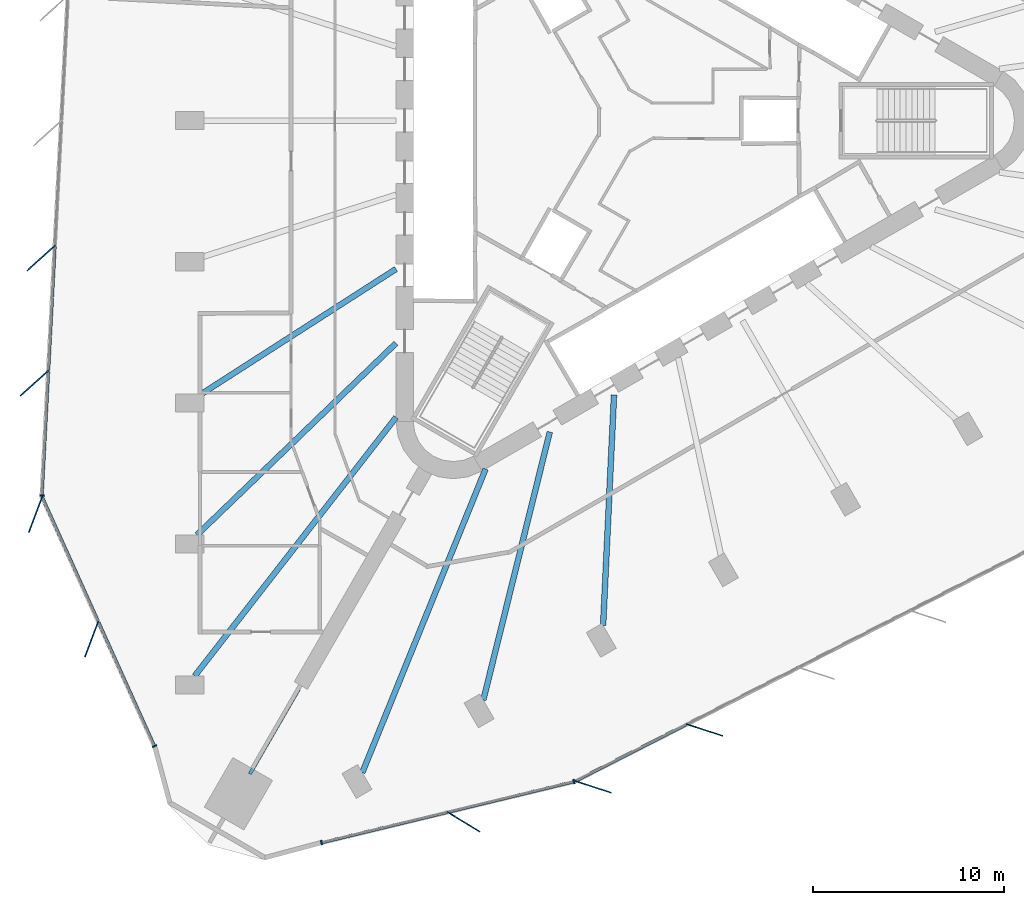
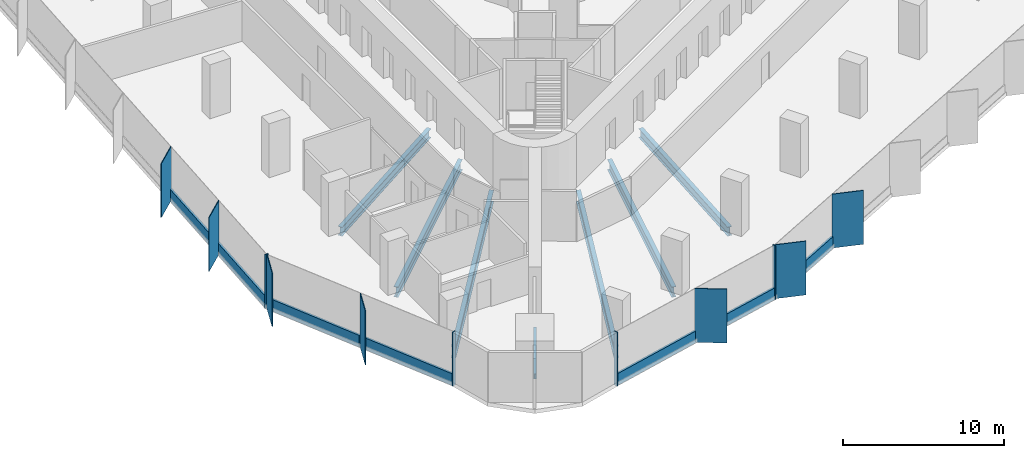
# One storey, part 2 of 14: 18 members, 7 beams, 4 elements without a shape of their own.
"""IFC4 building model written with IfcOpenShell, lengths in metres."""

from ifc_helpers import new_model, si_unit, direction, frame, origin, origin_2d, place, context, subcontext, project, spatial, rectangle, i_section, extrude, material, material_profile, profile_set, type_object, element, aggregate, save


model = new_model("IFC4")

# Units and contexts
model_context = context("Model", 3, precision=1e-05, world=origin(), true_north=direction((0.0, 1.0)))
body_context = subcontext(model_context, "Body", "Model", "MODEL_VIEW")
ifc_project = project(units=[si_unit("LENGTHUNIT", "METRE"), si_unit("AREAUNIT", "SQUARE_METRE"), si_unit("VOLUMEUNIT", "CUBIC_METRE"), si_unit("PLANEANGLEUNIT", "RADIAN"), si_unit("MASSUNIT", "GRAM", prefix="KILO")], contexts=[model_context])

# Site, building, storey
site_placement = place(None, origin())
site = spatial("IfcSite", under=ifc_project, at=site_placement, CompositionType="ELEMENT")
building_placement = place(site_placement, origin())
building = spatial("IfcBuilding", under=site, at=building_placement, Name="Tanit Gate Tower", CompositionType="ELEMENT")
storey_placement = place(building_placement, frame((0.0, 0.0, 107.0)))
storey = spatial("IfcBuildingStorey", under=building, at=storey_placement, Name="L22", CompositionType="ELEMENT", Elevation=107.0)

# Curtain wall, members
ifc_material_1 = material(Name="Aluminium bronze anodised and glass", Category="aluminium")
curtain_wall_type = type_object("IfcCurtainWallType", Name="Curtain wall typical low", PredefinedType="NOTDEFINED", material=ifc_material_1)
curtain_wall_1_placement = place(storey_placement, origin())
curtain_wall_1 = element("IfcCurtainWall", 1, at=curtain_wall_1_placement, inside=storey, type_object=curtain_wall_type, Name="Curtain wall L22 W2", PredefinedType="NOTDEFINED")
ifc_material_2 = material(Name="Aluminium bronze anodised", Category="aluminium")
ifc_material_profile_1 = material_profile(ifc_material_2, rectangle(XDim=2.0, YDim=0.055908203125, at=origin_2d()), Name="56x2000 bronze fin mullion")
ifc_profile_set_1 = profile_set([ifc_material_profile_1], Name="Aluminium bronze anodised")
member_type_1 = type_object("IfcMemberType", Name="FIN MULLION 56x2000 bronze", PredefinedType="MULLION", material=ifc_profile_set_1)
member_1_placement = place(storey_placement, frame((-30.701904296875, -7.201904296875, -0.300048828125), z_axis=(0.0, 0.0, 1.0), x_axis=(0.742921658135, 0.669378375715, 0.0)))
member_1 = element("IfcMember", 2, at=member_1_placement, type_object=member_type_1, Name="Fin mullion L22 W2.5", PredefinedType="MULLION", context=body_context, shape_type="SweptSolid", body=[
    extrude(rectangle(XDim=2.0, YDim=0.055908203125, at=origin_2d()), origin(), (0.0, 0.0, 1.0), 4.10009765625),
])
member_2_placement = place(storey_placement, frame((-31.04296875, -13.750732421875, -0.300048828125), z_axis=(0.0, 0.0, 1.0), x_axis=(0.742921658135, 0.669378375715, 0.0)))
member_2 = element("IfcMember", 3, at=member_2_placement, type_object=member_type_1, Name="Fin mullion L22 W2.6", PredefinedType="MULLION", context=body_context, shape_type="SweptSolid", body=[
    extrude(rectangle(XDim=2.0, YDim=0.055908203125, at=origin_2d()), origin(), (0.0, 0.0, 1.0), 4.10009765625),
])

curtain_wall_2_placement = place(storey_placement, origin())
curtain_wall_2 = element("IfcCurtainWall", 4, at=curtain_wall_2_placement, inside=storey, type_object=curtain_wall_type, Name="Curtain wall L22 W3", PredefinedType="NOTDEFINED")
member_3_placement = place(storey_placement, frame((-30.989501953125, -20.6357421875, -0.300048828125), z_axis=(0.0, 0.0, 1.0), x_axis=(0.354076031727, 0.935216640013, 0.0)))
member_3 = element("IfcMember", 5, at=member_3_placement, type_object=member_type_1, Name="Fin mullion L22 W3.1", PredefinedType="MULLION", context=body_context, shape_type="SweptSolid", body=[
    extrude(rectangle(XDim=2.0, YDim=0.055908203125, at=origin_2d()), origin(), (0.0, 0.0, 1.0), 4.10009765625),
])
member_4_placement = place(storey_placement, frame((-28.048828125, -27.15966796875, -0.300048828125), z_axis=(0.0, 0.0, 1.0), x_axis=(0.354076031727, 0.935216640013, 0.0)))
member_4 = element("IfcMember", 6, at=member_4_placement, type_object=member_type_1, Name="Fin mullion L22 W3.2", PredefinedType="MULLION", context=body_context, shape_type="SweptSolid", body=[
    extrude(rectangle(XDim=2.0, YDim=0.055908203125, at=origin_2d()), origin(), (0.0, 0.0, 1.0), 4.10009765625),
])

# Curtain wall, member
curtain_wall_3_placement = place(storey_placement, origin())
curtain_wall_3 = element("IfcCurtainWall", 7, at=curtain_wall_3_placement, inside=storey, type_object=curtain_wall_type, Name="Curtain wall L22 SE1", PredefinedType="NOTDEFINED")
member_5_placement = place(storey_placement, frame((-8.5615234375, -36.7373046875, -0.300048828125), z_axis=(0.0, 0.0, 1.0), x_axis=(-0.853451294708, 0.521172608222, 0.0)))
member_5 = element("IfcMember", 8, at=member_5_placement, type_object=member_type_1, Name="Fin mullion L22 SE1.2", PredefinedType="MULLION", context=body_context, shape_type="SweptSolid", body=[
    extrude(rectangle(XDim=2.0, YDim=0.055908203125, at=origin_2d()), origin(), (0.0, 0.0, 1.0), 4.10009765625),
])

# Curtain wall, members
curtain_wall_4_placement = place(storey_placement, origin())
curtain_wall_4 = element("IfcCurtainWall", 9, at=curtain_wall_4_placement, inside=storey, type_object=curtain_wall_type, Name="Curtain wall L22 SE2", PredefinedType="NOTDEFINED")
member_6_placement = place(storey_placement, frame((-1.780029296875, -34.904052734375, -0.300048828125), z_axis=(0.0, 0.0, 1.0), x_axis=(-0.95115950718, 0.308699841109, 0.0)))
member_6 = element("IfcMember", 10, at=member_6_placement, type_object=member_type_1, Name="Fin mullion L22 SE2.1", PredefinedType="MULLION", context=body_context, shape_type="SweptSolid", body=[
    extrude(rectangle(XDim=2.0, YDim=0.055908203125, at=origin_2d()), origin(), (0.0, 0.0, 1.0), 4.10009765625),
])
member_7_placement = place(storey_placement, frame((4.06201171875, -31.9248046875, -0.300048828125), z_axis=(0.0, 0.0, 1.0), x_axis=(-0.95115950718, 0.308699841109, 0.0)))
member_7 = element("IfcMember", 11, at=member_7_placement, type_object=member_type_1, Name="Fin mullion L22 SE2.2", PredefinedType="MULLION", context=body_context, shape_type="SweptSolid", body=[
    extrude(rectangle(XDim=2.0, YDim=0.055908203125, at=origin_2d()), origin(), (0.0, 0.0, 1.0), 4.10009765625),
])

# Member
ifc_material_3 = material(Name="Aluminium bronze anodised", Category="aluminium")
ifc_material_profile_2 = material_profile(ifc_material_3, rectangle(XDim=0.239990234375, YDim=0.080078125, at=origin_2d()), Name="80x240 bronze mullion")
ifc_profile_set_2 = profile_set([ifc_material_profile_2], Name="Aluminium bronze anodised")
member_type_2 = type_object("IfcMemberType", Name="Mullion 80x240 typical low", PredefinedType="MULLION", material=ifc_profile_set_2)
member_8_placement = place(storey_placement, frame((-30.65771484375, -19.645263671875, -0.300048828125), z_axis=(0.0, 0.0, 1.0), x_axis=(0.998646931005, -0.05200295371, 0.0)))
member_8 = element("IfcMember", 12, at=member_8_placement, type_object=member_type_2, Name="Mullion L22 W2.7", PredefinedType="MULLION", context=body_context, shape_type="SweptSolid", body=[
    extrude(rectangle(XDim=0.239990234375, YDim=0.080078125, at=origin_2d()), origin(), (0.0, 0.0, 1.0), 4.10009765625),
])

member_9_placement = place(storey_placement, frame((-24.76220703125, -32.769775390625, -0.300048828125), z_axis=(0.0, 0.0, 1.0), x_axis=(0.911667591121, 0.410928464942, 0.0)))
member_9 = element("IfcMember", 13, at=member_9_placement, type_object=member_type_2, Name="Mullion L22 W3.3", PredefinedType="MULLION", context=body_context, shape_type="SweptSolid", body=[
    extrude(rectangle(XDim=0.239990234375, YDim=0.080078125, at=origin_2d()), origin(), (0.0, 0.0, 1.0), 4.10009765625),
])

member_10_placement = place(storey_placement, frame((-16.00732421875, -37.826171875, -0.300048828125), z_axis=(0.0, 0.0, 1.0), x_axis=(-0.234956512458, 0.972005883343, 0.0)))
member_10 = element("IfcMember", 14, at=member_10_placement, type_object=member_type_2, Name="Mullion L22 SE1.1", PredefinedType="MULLION", context=body_context, shape_type="SweptSolid", body=[
    extrude(rectangle(XDim=0.239990234375, YDim=0.080078125, at=origin_2d()), origin(), (0.0, 0.0, 1.0), 4.10009765625),
])

member_11_placement = place(storey_placement, frame((-2.7841796875, -34.6298828125, -0.300048828125), z_axis=(0.0, 0.0, 1.0), x_axis=(-0.234956512458, 0.972005883343, 0.0)))
member_11 = element("IfcMember", 15, at=member_11_placement, type_object=member_type_2, Name="Mullion L22 SE1.3", PredefinedType="MULLION", context=body_context, shape_type="SweptSolid", body=[
    extrude(rectangle(XDim=0.239990234375, YDim=0.080078125, at=origin_2d()), origin(), (0.0, 0.0, 1.0), 4.10009765625),
])

# Beams
ifc_material_4 = material(Name="Steel S355", Category="steel")
ifc_material_profile_3 = material_profile(ifc_material_4, i_section(OverallWidth=0.300048828125, OverallDepth=0.68994140625, WebThickness=0.014404296875, FlangeThickness=0.027099609375, FilletRadius=0.027099609375, at=origin_2d()), Name="HEA 700")
ifc_profile_set_3 = profile_set([ifc_material_profile_3], Name="Steel S355")
beam_type_1 = type_object("IfcBeamType", Name="RADIAL GIRDER HEA 700 S355", PredefinedType="BEAM", material=ifc_profile_set_3)
for number, where, z_axis, x_axis, name in (
    (16, (-22.2783203125, -14.307861328125, -0.64501953125), (0.841413200644, 0.540392288788, 0.0), (-0.540392288788, 0.841413200644, 0.0), "RADIAL GIRDER"),
    (17, (-1.251708984375, -26.447509765625, -0.64501953125), (0.047276464158, 0.998881842831, 0.0), (-0.998881842831, 0.047276464158, 0.0), "RADIAL GIRDER"),
):
    element("IfcBeam", number, at=place(storey_placement, frame(where, z_axis=z_axis, x_axis=x_axis)), inside=storey, type_object=beam_type_1, Name=name, PredefinedType="BEAM", context=body_context, shape_type="SweptSolid", body=[
        extrude(i_section(OverallWidth=0.300048828125, OverallDepth=0.68994140625, WebThickness=0.014404296875, FlangeThickness=0.027099609375, FilletRadius=0.027099609375, at=origin_2d()), origin(), (0.0, 0.0, 1.0), 12.09423828125),
    ])
ifc_material_5 = material(Name="Steel S355", Category="steel")
ifc_material_profile_4 = material_profile(ifc_material_5, i_section(OverallWidth=0.300048828125, OverallDepth=0.7900390625, WebThickness=0.014892578125, FlangeThickness=0.028076171875, FilletRadius=0.030029296875, at=origin_2d()), Name="HEA 800")
ifc_profile_set_4 = profile_set([ifc_material_profile_4], Name="Steel S355")
beam_type_2 = type_object("IfcBeamType", Name="RADIAL GIRDER HEA 800 S355", PredefinedType="BEAM", material=ifc_profile_set_4)
beam_1_placement = place(storey_placement, frame((-22.52490234375, -21.69921875, -0.695068359375), z_axis=(0.720183780424, 0.693783339677, 0.0), x_axis=(-0.693783339677, 0.720183780424, 0.0)))
element("IfcBeam", 18, at=beam_1_placement, inside=storey, type_object=beam_type_2, Name="RADIAL GIRDER", PredefinedType="BEAM", context=body_context, shape_type="SweptSolid", body=[
    extrude(i_section(OverallWidth=0.300048828125, OverallDepth=0.7900390625, WebThickness=0.014892578125, FlangeThickness=0.028076171875, FilletRadius=0.030029296875, at=origin_2d()), origin(), (0.0, 0.0, 1.0), 14.472412109375),
])
beam_2_placement = place(storey_placement, frame((-7.52978515625, -30.356689453125, -0.695068359375), z_axis=(0.240757007067, 0.970585423107, 0.0), x_axis=(-0.970585423107, 0.240757007067, 0.0)))
element("IfcBeam", 19, at=beam_2_placement, inside=storey, type_object=beam_type_2, Name="RADIAL GIRDER", PredefinedType="BEAM", context=body_context, shape_type="SweptSolid", body=[
    extrude(i_section(OverallWidth=0.300048828125, OverallDepth=0.7900390625, WebThickness=0.014892578125, FlangeThickness=0.028076171875, FilletRadius=0.030029296875, at=origin_2d()), origin(), (0.0, 0.0, 1.0), 14.47265625),
])
ifc_material_6 = material(Name="Steel S355", Category="steel")
ifc_material_profile_5 = material_profile(ifc_material_6, i_section(OverallWidth=0.300048828125, OverallDepth=0.889892578125, WebThickness=0.01611328125, FlangeThickness=0.030029296875, FilletRadius=0.030029296875, at=origin_2d()), Name="HEA 900")
ifc_profile_set_5 = profile_set([ifc_material_profile_5], Name="Steel S355")
beam_type_3 = type_object("IfcBeamType", Name="RADIAL GIRDER HEA 900 S355", PredefinedType="BEAM", material=ifc_profile_set_5)
beam_3_placement = place(storey_placement, frame((-22.648193359375, -29.0908203125, -0.7451171875), z_axis=(0.614312702857, 0.789062673752, 0.0), x_axis=(-0.789062673752, 0.614312702857, 0.0)))
element("IfcBeam", 20, at=beam_3_placement, inside=storey, type_object=beam_type_3, Name="RADIAL GIRDER", PredefinedType="BEAM", context=body_context, shape_type="SweptSolid", body=[
    extrude(i_section(OverallWidth=0.300048828125, OverallDepth=0.889892578125, WebThickness=0.01611328125, FlangeThickness=0.030029296875, FilletRadius=0.030029296875, at=origin_2d()), origin(), (0.0, 0.0, 1.0), 17.16748046875),
])
beam_4_placement = place(storey_placement, frame((-13.869384765625, -34.1591796875, -0.7451171875), z_axis=(0.376193939904, 0.926540943283, 0.0), x_axis=(-0.926540943283, 0.376193939904, 0.0)))
element("IfcBeam", 21, at=beam_4_placement, inside=storey, type_object=beam_type_3, Name="RADIAL GIRDER", PredefinedType="BEAM", context=body_context, shape_type="SweptSolid", body=[
    extrude(i_section(OverallWidth=0.300048828125, OverallDepth=0.889892578125, WebThickness=0.01611328125, FlangeThickness=0.030029296875, FilletRadius=0.030029296875, at=origin_2d()), origin(), (0.0, 0.0, 1.0), 17.167236328125),
])
ifc_material_7 = material(Name="Steel S355", Category="steel")
ifc_material_profile_6 = material_profile(ifc_material_7, i_section(OverallWidth=0.179931640625, OverallDepth=0.39990234375, WebThickness=0.008544921875, FlangeThickness=0.013427734375, FilletRadius=0.02099609375, at=origin_2d()), Name="IPE 400")
ifc_profile_set_6 = profile_set([ifc_material_profile_6], Name="Steel S355")
beam_type_4 = type_object("IfcBeamType", Name="RADIAL GIRDER IPE 400 S355", PredefinedType="BEAM", material=ifc_profile_set_6)
beam_5_placement = place(storey_placement, frame((-19.760498046875, -34.22607421875, -0.5), z_axis=(0.499998470576, 0.866026286796, 0.0), x_axis=(-0.866026286796, 0.499998470576, 0.0)))
element("IfcBeam", 22, at=beam_5_placement, inside=storey, type_object=beam_type_4, Name="RADIAL GIRDER", PredefinedType="BEAM", context=body_context, shape_type="SweptSolid", body=[
    extrude(i_section(OverallWidth=0.179931640625, OverallDepth=0.39990234375, WebThickness=0.008544921875, FlangeThickness=0.013427734375, FilletRadius=0.02099609375, at=origin_2d()), origin(), (0.0, 0.0, 1.0), 5.1298828125),
])

# Member
ifc_material_8 = material(Name="Aluminium bronze anodised", Category="aluminium")
ifc_material_profile_7 = material_profile(ifc_material_8, rectangle(XDim=0.159912109375, YDim=0.89990234375, at=origin_2d()), Name="160x900 bronze transom")
ifc_profile_set_7 = profile_set([ifc_material_profile_7], Name="Aluminium bronze anodised")
member_type_3 = type_object("IfcMemberType", Name="Transom 160x900 typical low", PredefinedType="USERDEFINED", material=ifc_profile_set_7)
member_12_placement = place(storey_placement, frame((-29.977783203125, -6.587646484375, 0.14990234375), z_axis=(-0.05201283419, -0.998646416446, 0.0), x_axis=(0.998646416446, -0.05201283419, 0.0)))
member_12 = element("IfcMember", 23, at=member_12_placement, type_object=member_type_3, Name="Transom L22 W2.5", ObjectType="TRANSOM", PredefinedType="USERDEFINED", context=body_context, shape_type="SweptSolid", body=[
    extrude(rectangle(XDim=0.159912109375, YDim=0.89990234375, at=origin_2d()), origin(), (0.0, 0.0, 1.0), 6.4775390625),
])

member_13_placement = place(storey_placement, frame((-30.31884765625, -13.136474609375, 0.14990234375), z_axis=(-0.05201283419, -0.998646416446, 0.0), x_axis=(0.998646416446, -0.05201283419, 0.0)))
member_13 = element("IfcMember", 24, at=member_13_placement, type_object=member_type_3, Name="Transom L22 W2.6", ObjectType="TRANSOM", PredefinedType="USERDEFINED", context=body_context, shape_type="SweptSolid", body=[
    extrude(rectangle(XDim=0.159912109375, YDim=0.89990234375, at=origin_2d()), origin(), (0.0, 0.0, 1.0), 6.4775390625),
])

aggregate(curtain_wall_1, [member_1, member_2, member_8, member_12, member_13])

member_14_placement = place(storey_placement, frame((-30.626953125, -19.758056640625, 0.14990234375), z_axis=(0.410915482303, -0.911673442853, 0.0), x_axis=(0.911673442853, 0.410915482303, 0.0)))
member_14 = element("IfcMember", 25, at=member_14_placement, type_object=member_type_3, Name="Transom L22 W3.1", ObjectType="TRANSOM", PredefinedType="USERDEFINED", context=body_context, shape_type="SweptSolid", body=[
    extrude(rectangle(XDim=0.159912109375, YDim=0.89990234375, at=origin_2d()), origin(), (0.0, 0.0, 1.0), 7.076171875),
])

member_15_placement = place(storey_placement, frame((-27.686279296875, -26.2822265625, 0.14990234375), z_axis=(0.410928407728, -0.91166761691, 0.0), x_axis=(0.91166761691, 0.410928407728, 0.0)))
member_15 = element("IfcMember", 26, at=member_15_placement, type_object=member_type_3, Name="Transom L22 W3.2", ObjectType="TRANSOM", PredefinedType="USERDEFINED", context=body_context, shape_type="SweptSolid", body=[
    extrude(rectangle(XDim=0.159912109375, YDim=0.89990234375, at=origin_2d()), origin(), (0.0, 0.0, 1.0), 7.075927734375),
])

aggregate(curtain_wall_2, [member_3, member_4, member_9, member_14, member_15])

member_16_placement = place(storey_placement, frame((-15.968505859375, -37.81689453125, 0.14990234375), z_axis=(0.972007889372, 0.234948213442, 0.0), x_axis=(-0.234948213442, 0.972007889372, 0.0)))
member_16 = element("IfcMember", 27, at=member_16_placement, type_object=member_type_3, Name="Transom L22 SE1.1", ObjectType="TRANSOM", PredefinedType="USERDEFINED", context=body_context, shape_type="SweptSolid", body=[
    extrude(rectangle(XDim=0.159912109375, YDim=0.89990234375, at=origin_2d()), origin(), (0.0, 0.0, 1.0), 6.72216796875),
])

member_17_placement = place(storey_placement, frame((-9.356689453125, -36.21875, 0.14990234375), z_axis=(0.971997589077, 0.234990822858, 0.0), x_axis=(-0.234990822858, 0.971997589077, 0.0)))
member_17 = element("IfcMember", 28, at=member_17_placement, type_object=member_type_3, Name="Transom L22 SE1.2", ObjectType="TRANSOM", PredefinedType="USERDEFINED", context=body_context, shape_type="SweptSolid", body=[
    extrude(rectangle(XDim=0.159912109375, YDim=0.89990234375, at=origin_2d()), origin(), (0.0, 0.0, 1.0), 6.721923828125),
])

aggregate(curtain_wall_3, [member_10, member_5, member_11, member_16, member_17])

member_18_placement = place(storey_placement, frame((-2.673828125, -34.584228515625, 0.14990234375), z_axis=(0.890840947934, 0.454315315045, 0.0), x_axis=(-0.454315315045, 0.890840947934, 0.0)))
member_18 = element("IfcMember", 29, at=member_18_placement, type_object=member_type_3, Name="Transom L22 SE2.1", ObjectType="TRANSOM", PredefinedType="USERDEFINED", context=body_context, shape_type="SweptSolid", body=[
    extrude(rectangle(XDim=0.159912109375, YDim=0.89990234375, at=origin_2d()), origin(), (0.0, 0.0, 1.0), 6.4775390625),
])

aggregate(curtain_wall_4, [member_6, member_7, member_18])

save(model, "model.ifc")
